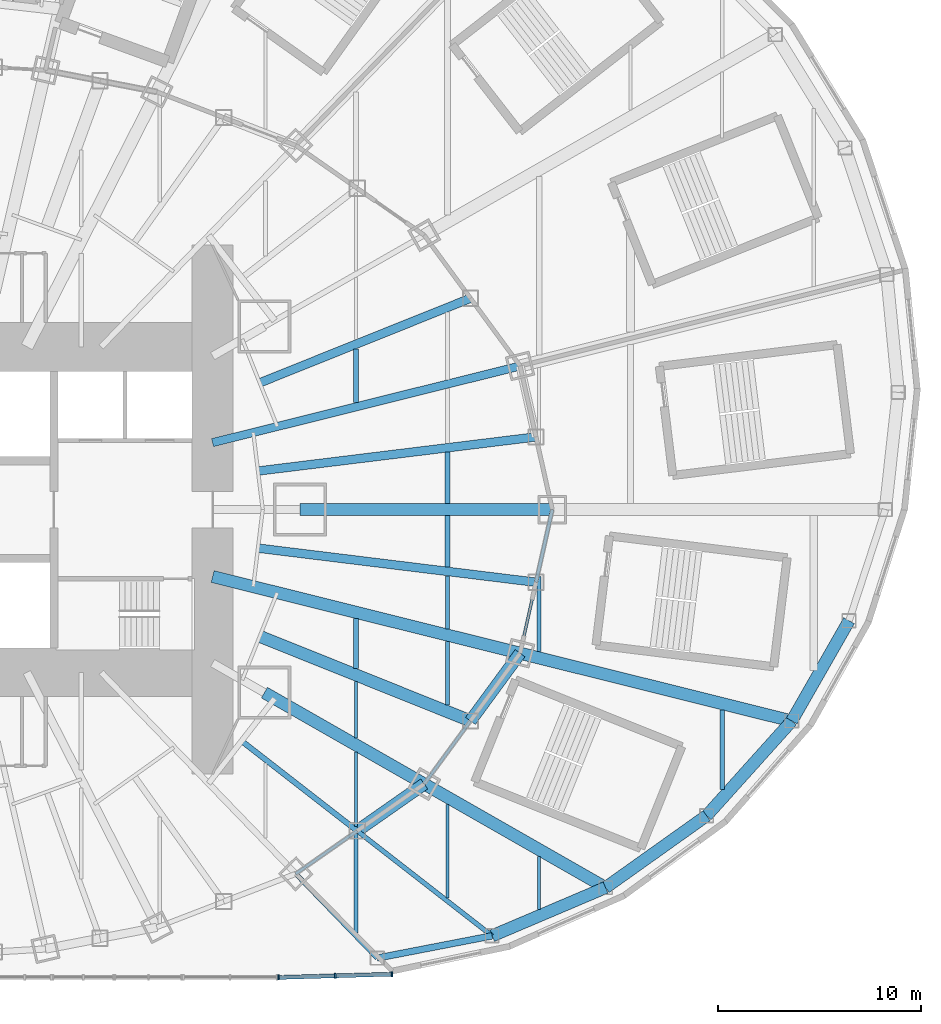
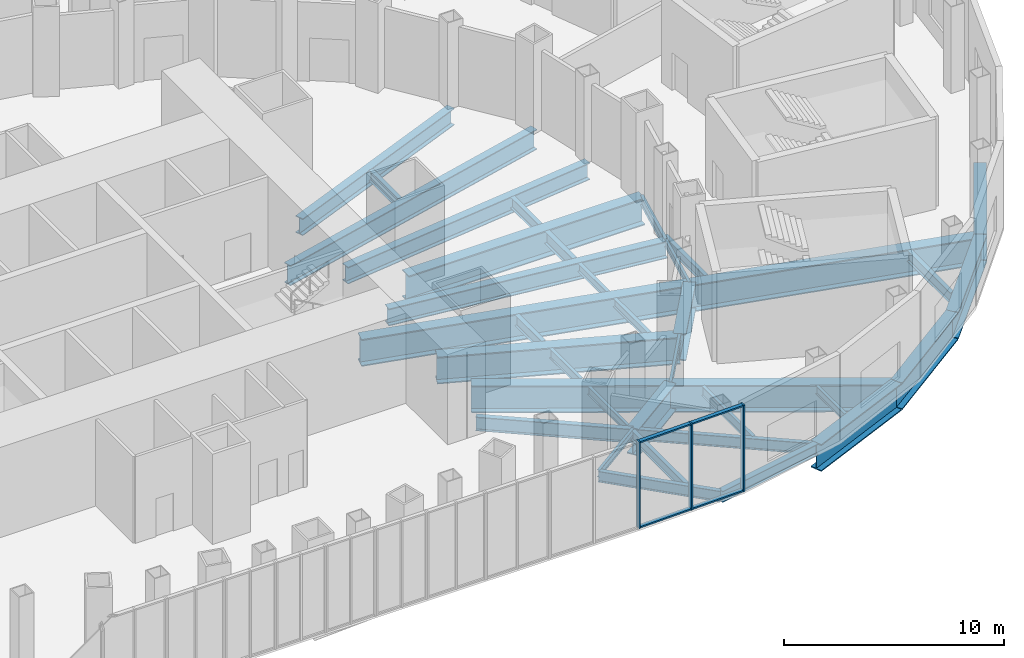
# One storey, part 9 of 73: 37 beams, 7 members, 1 element without a shape of its own.
"""IFC4 building model written with IfcOpenShell, lengths in metres."""

from ifc_helpers import new_model, si_unit, direction, frame, origin, origin_2d, place, context, subcontext, project, spatial, rectangle, i_section, extrude, material, material_profile, profile_set, type_object, element, aggregate, save


model = new_model("IFC4")

# Units and contexts
model_context = context("Model", 3, precision=1e-05, world=origin(), true_north=direction((0.0, 1.0)))
body_context = subcontext(model_context, "Body", "Model", "MODEL_VIEW")
ifc_project = project(units=[si_unit("LENGTHUNIT", "METRE"), si_unit("AREAUNIT", "SQUARE_METRE"), si_unit("VOLUMEUNIT", "CUBIC_METRE"), si_unit("PLANEANGLEUNIT", "RADIAN"), si_unit("MASSUNIT", "GRAM", prefix="KILO")], contexts=[model_context])

# Site, building, storey
site_placement = place(None, origin())
site = spatial("IfcSite", under=ifc_project, at=site_placement, CompositionType="ELEMENT")
building_placement = place(site_placement, origin())
building = spatial("IfcBuilding", under=site, at=building_placement, Name="Lantaw Convention Tower", CompositionType="ELEMENT")
storey_placement = place(building_placement, frame((0.0, 0.0, 27.0)))
storey = spatial("IfcBuildingStorey", under=building, at=storey_placement, Name="L04", CompositionType="ELEMENT", Elevation=27.0)

# Beams
ifc_material_1 = material(Name="Steel ASTM A572 Grade 50", Category="steel")
ifc_material_profile_1 = material_profile(ifc_material_1, i_section(OverallWidth=0.60009765625, OverallDepth=1.5, WebThickness=0.02490234375, FlangeThickness=0.06005859375, at=origin_2d()), Name="PG1500X600X25X60")
ifc_profile_set_1 = profile_set([ifc_material_profile_1], Name="Steel ASTM A572 Grade 50")
beam_type_1 = type_object("IfcBeamType", Name="Beam E PG1500X600X25X60", PredefinedType="SPANDREL", material=ifc_profile_set_1)
beam_1_placement = place(storey_placement, frame((20.308837890625, -15.794189453125, -0.949951171875), z_axis=(0.81942291701, 0.57318939547, 0.0), x_axis=(-0.57318939547, 0.81942291701, 0.0)))
element("IfcBeam", 1, at=beam_1_placement, inside=storey, type_object=beam_type_1, Name="Edge beam 22", PredefinedType="SPANDREL", context=body_context, shape_type="SweptSolid", body=[
    extrude(i_section(OverallWidth=0.60009765625, OverallDepth=1.5, WebThickness=0.02490234375, FlangeThickness=0.06005859375, at=origin_2d()), origin(), (0.0, 0.0, 1.0), 4.0224609375),
])
beam_2_placement = place(storey_placement, frame((25.8779296875, -10.388427734375, -0.949951171875), z_axis=(0.591255937291, 0.806483984105, 0.0), x_axis=(-0.806483984105, 0.591255937291, 0.0)))
element("IfcBeam", 2, at=beam_2_placement, inside=storey, type_object=beam_type_1, Name="Edge beam 23", PredefinedType="SPANDREL", context=body_context, shape_type="SweptSolid", body=[
    extrude(i_section(OverallWidth=0.60009765625, OverallDepth=1.5, WebThickness=0.02490234375, FlangeThickness=0.06005859375, at=origin_2d()), origin(), (0.0, 0.0, 1.0), 4.126708984375),
])
beam_3_placement = place(storey_placement, frame((26.94287109375, -20.95361328125, -0.949951171875), z_axis=(0.920324392734, 0.391155994636, 0.0), x_axis=(-0.391155994636, 0.920324392734, 0.0)))
element("IfcBeam", 3, at=beam_3_placement, inside=storey, type_object=beam_type_1, Name="Podium edge beam B21", PredefinedType="SPANDREL", context=body_context, shape_type="SweptSolid", body=[
    extrude(i_section(OverallWidth=0.60009765625, OverallDepth=1.5, WebThickness=0.02490234375, FlangeThickness=0.06005859375, at=origin_2d()), origin(), (0.0, 0.0, 1.0), 6.060546875),
])
beam_4_placement = place(storey_placement, frame((32.5205078125, -18.5830078125, -0.949951171875), z_axis=(0.814722795246, 0.579850641895, 0.0), x_axis=(-0.579850641895, 0.814722795246, 0.0)))
element("IfcBeam", 4, at=beam_4_placement, inside=storey, type_object=beam_type_1, Name="Podium edge beam R22", PredefinedType="SPANDREL", context=body_context, shape_type="SweptSolid", body=[
    extrude(i_section(OverallWidth=0.60009765625, OverallDepth=1.5, WebThickness=0.02490234375, FlangeThickness=0.06005859375, at=origin_2d()), origin(), (0.0, 0.0, 1.0), 6.095458984375),
])
beam_5_placement = place(storey_placement, frame((37.486572265625, -15.048583984375, -0.949951171875), z_axis=(0.668363614772, 0.74383471178, 0.0), x_axis=(-0.74383471178, 0.668363614772, 0.0)))
element("IfcBeam", 5, at=beam_5_placement, inside=storey, type_object=beam_type_1, Name="Podium edge beam B22", PredefinedType="SPANDREL", context=body_context, shape_type="SweptSolid", body=[
    extrude(i_section(OverallWidth=0.60009765625, OverallDepth=1.5, WebThickness=0.02490234375, FlangeThickness=0.06005859375, at=origin_2d()), origin(), (0.0, 0.0, 1.0), 6.2626953125),
])
beam_6_placement = place(storey_placement, frame((41.67236328125, -10.39013671875, -0.949951171875), z_axis=(0.496180629465, 0.868219317306, 0.0), x_axis=(-0.868219317306, 0.496180629465, 0.0)))
element("IfcBeam", 6, at=beam_6_placement, inside=storey, type_object=beam_type_1, Name="Podium edge beam R23", PredefinedType="SPANDREL", context=body_context, shape_type="SweptSolid", body=[
    extrude(i_section(OverallWidth=0.60009765625, OverallDepth=1.5, WebThickness=0.02490234375, FlangeThickness=0.06005859375, at=origin_2d()), origin(), (0.0, 0.0, 1.0), 5.67578125),
])
ifc_material_2 = material(Name="Steel ASTM A992", Category="steel")
ifc_material_profile_2 = material_profile(ifc_material_2, i_section(OverallWidth=0.140380859375, OverallDepth=0.40380859375, WebThickness=0.007080078125, FlangeThickness=0.01123046875, FilletRadius=0.01025390625, at=origin_2d()), Name="W16X31")
ifc_profile_set_2 = profile_set([ifc_material_profile_2], Name="Steel ASTM A992")
beam_type_2 = type_object("IfcBeamType", Name="Beam E W16X31", PredefinedType="SPANDREL", material=ifc_profile_set_2)
beam_7_placement = place(storey_placement, frame((17.290771484375, -17.9052734375, -0.40185546875), z_axis=(0.819431174801, 0.573177590075, 0.0), x_axis=(-0.573177590075, 0.819431174801, 0.0)))
element("IfcBeam", 7, at=beam_7_placement, inside=storey, type_object=beam_type_2, Name="Edge beam 22", PredefinedType="SPANDREL", context=body_context, shape_type="SweptSolid", body=[
    extrude(i_section(OverallWidth=0.140380859375, OverallDepth=0.40380859375, WebThickness=0.007080078125, FlangeThickness=0.01123046875, FilletRadius=0.01025390625, at=origin_2d()), origin(), (0.0, 0.0, 1.0), 3.68310546875),
])
beam_8_placement = place(storey_placement, frame((23.60498046875, -13.488525390625, -0.40185546875), z_axis=(0.591286566758, 0.806461527893, 0.0), x_axis=(-0.806461527893, 0.591286566758, 0.0)))
element("IfcBeam", 8, at=beam_8_placement, inside=storey, type_object=beam_type_2, Name="Edge beam 23", PredefinedType="SPANDREL", context=body_context, shape_type="SweptSolid", body=[
    extrude(i_section(OverallWidth=0.140380859375, OverallDepth=0.40380859375, WebThickness=0.007080078125, FlangeThickness=0.01123046875, FilletRadius=0.01025390625, at=origin_2d()), origin(), (0.0, 0.0, 1.0), 3.843994140625),
])
beam_9_placement = place(storey_placement, frame((28.31787109375, -7.060302734375, -0.40185546875), z_axis=(0.218673326171, 0.97579812278, 0.0), x_axis=(-0.97579812278, 0.218673326171, 0.0)))
element("IfcBeam", 9, at=beam_9_placement, inside=storey, type_object=beam_type_2, Name="Edge beam 24", PredefinedType="SPANDREL", context=body_context, shape_type="SweptSolid", body=[
    extrude(i_section(OverallWidth=0.140380859375, OverallDepth=0.40380859375, WebThickness=0.007080078125, FlangeThickness=0.01123046875, FilletRadius=0.01025390625, at=origin_2d()), origin(), (0.0, 0.0, 1.0), 3.57373046875),
])
ifc_material_profile_3 = material_profile(ifc_material_2, i_section(OverallWidth=0.165771484375, OverallDepth=0.5283203125, WebThickness=0.009765625, FlangeThickness=0.013671875, FilletRadius=0.012939453125, at=origin_2d()), Name="W21X50")
ifc_profile_set_3 = profile_set([ifc_material_profile_3], Name="Steel ASTM A992")
beam_type_3 = type_object("IfcBeamType", Name="Beam E W21X50", PredefinedType="SPANDREL", material=ifc_profile_set_3)
beam_10_placement = place(storey_placement, frame((29.099365234375, -3.572998046875, -0.464111328125), z_axis=(0.218631550323, 0.975807483679, 0.0), x_axis=(-0.975807483679, 0.218631550323, 0.0)))
element("IfcBeam", 10, at=beam_10_placement, inside=storey, type_object=beam_type_3, Name="Edge beam 24", PredefinedType="SPANDREL", context=body_context, shape_type="SweptSolid", body=[
    extrude(i_section(OverallWidth=0.165771484375, OverallDepth=0.5283203125, WebThickness=0.009765625, FlangeThickness=0.013671875, FilletRadius=0.012939453125, at=origin_2d()), origin(), (0.0, 0.0, 1.0), 3.66162109375),
])
ifc_material_profile_4 = material_profile(ifc_material_2, i_section(OverallWidth=0.3251953125, OverallDepth=0.612060546875, WebThickness=0.0126953125, FlangeThickness=0.01904296875, FilletRadius=0.0126953125, at=origin_2d()), Name="W24X104")
ifc_profile_set_4 = profile_set([ifc_material_profile_4], Name="Steel ASTM A992")
beam_type_4 = type_object("IfcBeamType", Name="Beam E W24X104", PredefinedType="SPANDREL", material=ifc_profile_set_4)
beam_11_placement = place(storey_placement, frame((21.290771484375, -22.04736328125, -0.506103515625), z_axis=(0.981786485539, 0.18998762279, 0.0), x_axis=(-0.18998762279, 0.981786485539, 0.0)))
element("IfcBeam", 11, at=beam_11_placement, inside=storey, type_object=beam_type_4, Name="Podium edge beam R21", PredefinedType="SPANDREL", context=body_context, shape_type="SweptSolid", body=[
    extrude(i_section(OverallWidth=0.3251953125, OverallDepth=0.612060546875, WebThickness=0.0126953125, FlangeThickness=0.01904296875, FilletRadius=0.0126953125, at=origin_2d()), origin(), (0.0, 0.0, 1.0), 5.7568359375),
])
ifc_material_profile_5 = material_profile(ifc_material_1, i_section(OverallWidth=0.60009765625, OverallDepth=1.5, WebThickness=0.02490234375, FlangeThickness=0.06005859375, at=origin_2d()), Name="PG1500X600X25X60")
ifc_profile_set_5 = profile_set([ifc_material_profile_5], Name="Steel ASTM A572 Grade 50")
beam_type_5 = type_object("IfcBeamType", Name="Beam G PG1500X600X25X60", PredefinedType="BEAM", material=ifc_profile_set_5)
beam_12_placement = place(storey_placement, frame((17.5, 0.0, -0.949951171875), z_axis=(1.0, 0.0, 0.0), x_axis=(0.0, 1.0, 0.0)))
element("IfcBeam", 12, at=beam_12_placement, inside=storey, type_object=beam_type_5, Name="Floor girder on ray 1", PredefinedType="BEAM", context=body_context, shape_type="SweptSolid", body=[
    extrude(i_section(OverallWidth=0.60009765625, OverallDepth=1.5, WebThickness=0.02490234375, FlangeThickness=0.06005859375, at=origin_2d()), origin(), (0.0, 0.0, 1.0), 12.39990234375),
])
beam_13_placement = place(storey_placement, frame((15.75, -9.0, -0.949951171875), z_axis=(0.868244802791, -0.496136032179, 0.0), x_axis=(0.496136032179, 0.868244802791, 0.0)))
element("IfcBeam", 13, at=beam_13_placement, inside=storey, type_object=beam_type_5, Name="Floor girder on ray 23", PredefinedType="BEAM", context=body_context, shape_type="SweptSolid", body=[
    extrude(i_section(OverallWidth=0.60009765625, OverallDepth=1.5, WebThickness=0.02490234375, FlangeThickness=0.06005859375, at=origin_2d()), origin(), (0.0, 0.0, 1.0), 9.046875),
])
beam_14_placement = place(storey_placement, frame((15.52001953125, -6.230224609375, -0.949951171875), z_axis=(0.928011337871, -0.37255195179, 0.0), x_axis=(0.37255195179, 0.928011337871, 0.0)))
element("IfcBeam", 14, at=beam_14_placement, inside=storey, type_object=beam_type_5, Name="Floor girder on bisector 23", PredefinedType="BEAM", context=body_context, shape_type="SweptSolid", body=[
    extrude(i_section(OverallWidth=0.60009765625, OverallDepth=1.5, WebThickness=0.02490234375, FlangeThickness=0.06005859375, at=origin_2d()), origin(), (0.0, 0.0, 1.0), 11.161376953125),
])
beam_15_placement = place(storey_placement, frame((13.199951171875, -3.291015625, -0.949951171875), z_axis=(0.970296233567, -0.241919860957, 0.0), x_axis=(0.241919860957, 0.970296233567, 0.0)))
element("IfcBeam", 15, at=beam_15_placement, inside=storey, type_object=beam_type_5, Name="Floor girder on ray 24", PredefinedType="BEAM", context=body_context, shape_type="SweptSolid", body=[
    extrude(i_section(OverallWidth=0.60009765625, OverallDepth=1.5, WebThickness=0.02490234375, FlangeThickness=0.06005859375, at=origin_2d()), origin(), (0.0, 0.0, 1.0), 15.580810546875),
])
ifc_material_profile_6 = material_profile(ifc_material_2, i_section(OverallWidth=0.2666015625, OverallDepth=0.76953125, WebThickness=0.015625, FlangeThickness=0.025390625, FilletRadius=0.0126953125, at=origin_2d()), Name="W30X132")
ifc_profile_set_6 = profile_set([ifc_material_profile_6], Name="Steel ASTM A992")
beam_type_6 = type_object("IfcBeamType", Name="Beam G W30X132", PredefinedType="BEAM", material=ifc_profile_set_6)
beam_16_placement = place(storey_placement, frame((14.628173828125, -11.37646484375, -0.584716796875), z_axis=(0.789390578332, -0.613891289106, 0.0), x_axis=(0.613891289106, 0.789390578332, 0.0)))
element("IfcBeam", 16, at=beam_16_placement, inside=storey, type_object=beam_type_6, Name="Floor girder on bisector 22", PredefinedType="BEAM", context=body_context, shape_type="SweptSolid", body=[
    extrude(i_section(OverallWidth=0.2666015625, OverallDepth=0.76953125, WebThickness=0.015625, FlangeThickness=0.025390625, FilletRadius=0.0126953125, at=origin_2d()), origin(), (0.0, 0.0, 1.0), 7.1962890625),
])
ifc_material_profile_7 = material_profile(ifc_material_2, i_section(OverallWidth=0.421630859375, OverallDepth=0.937255859375, WebThickness=0.0224609375, FlangeThickness=0.039794921875, FilletRadius=0.02001953125, at=origin_2d()), Name="W36X282")
ifc_profile_set_7 = profile_set([ifc_material_profile_7], Name="Steel ASTM A992")
beam_type_7 = type_object("IfcBeamType", Name="Beam G W36X282", PredefinedType="BEAM", material=ifc_profile_set_7)
beam_17_placement = place(storey_placement, frame((15.433349609375, 1.89501953125, -0.668701171875), z_axis=(0.99254612715, 0.121869542874, 0.0), x_axis=(-0.121869542874, 0.99254612715, 0.0)))
element("IfcBeam", 17, at=beam_17_placement, inside=storey, type_object=beam_type_7, Name="Floor girder on bisector 1", PredefinedType="BEAM", context=body_context, shape_type="SweptSolid", body=[
    extrude(i_section(OverallWidth=0.421630859375, OverallDepth=0.937255859375, WebThickness=0.0224609375, FlangeThickness=0.039794921875, FilletRadius=0.02001953125, at=origin_2d()), origin(), (0.0, 0.0, 1.0), 13.7685546875),
])
beam_18_placement = place(storey_placement, frame((15.52001953125, 6.23046875, -0.668701171875), z_axis=(0.928018900171, 0.372533113864, 0.0), x_axis=(-0.372533113864, 0.928018900171, 0.0)))
element("IfcBeam", 18, at=beam_18_placement, inside=storey, type_object=beam_type_7, Name="Floor girder on bisector 2", PredefinedType="BEAM", context=body_context, shape_type="SweptSolid", body=[
    extrude(i_section(OverallWidth=0.421630859375, OverallDepth=0.937255859375, WebThickness=0.0224609375, FlangeThickness=0.039794921875, FilletRadius=0.02001953125, at=origin_2d()), origin(), (0.0, 0.0, 1.0), 11.161376953125),
])
ifc_material_profile_8 = material_profile(ifc_material_2, i_section(OverallWidth=0.424072265625, OverallDepth=0.947509765625, WebThickness=0.02392578125, FlangeThickness=0.042724609375, FilletRadius=0.012451171875, at=origin_2d()), Name="W36X302")
ifc_profile_set_8 = profile_set([ifc_material_profile_8], Name="Steel ASTM A992")
beam_type_8 = type_object("IfcBeamType", Name="Beam G W36X302", PredefinedType="BEAM", material=ifc_profile_set_8)
beam_19_placement = place(storey_placement, frame((15.433349609375, -1.89501953125, -0.673828125), z_axis=(0.99254612715, -0.121869542874, 0.0), x_axis=(0.121869542874, 0.99254612715, 0.0)))
element("IfcBeam", 19, at=beam_19_placement, inside=storey, type_object=beam_type_8, Name="Floor girder on bisector 24", PredefinedType="BEAM", context=body_context, shape_type="SweptSolid", body=[
    extrude(i_section(OverallWidth=0.424072265625, OverallDepth=0.947509765625, WebThickness=0.02392578125, FlangeThickness=0.042724609375, FilletRadius=0.012451171875, at=origin_2d()), origin(), (0.0, 0.0, 1.0), 13.7685546875),
])
ifc_material_profile_9 = material_profile(ifc_material_2, i_section(OverallWidth=0.40380859375, OverallDepth=1.11767578125, WebThickness=0.026123046875, FlangeThickness=0.044921875, FilletRadius=0.02001953125, at=origin_2d()), Name="W44X335")
ifc_profile_set_9 = profile_set([ifc_material_profile_9], Name="Steel ASTM A992")
beam_type_9 = type_object("IfcBeamType", Name="Beam G W44X335", PredefinedType="BEAM", material=ifc_profile_set_9)
beam_20_placement = place(storey_placement, frame((13.199951171875, 3.291015625, -0.7587890625), z_axis=(0.970296233567, 0.241919860957, 0.0), x_axis=(-0.241919860957, 0.970296233567, 0.0)))
element("IfcBeam", 20, at=beam_20_placement, inside=storey, type_object=beam_type_9, Name="Floor girder on ray 2", PredefinedType="BEAM", context=body_context, shape_type="SweptSolid", body=[
    extrude(i_section(OverallWidth=0.40380859375, OverallDepth=1.11767578125, WebThickness=0.026123046875, FlangeThickness=0.044921875, FilletRadius=0.02001953125, at=origin_2d()), origin(), (0.0, 0.0, 1.0), 15.580810546875),
])
ifc_material_profile_10 = material_profile(ifc_material_2, i_section(OverallWidth=0.15234375, OverallDepth=0.449462890625, WebThickness=0.007568359375, FlangeThickness=0.0107421875, FilletRadius=0.01025390625, at=origin_2d()), Name="W18X35")
ifc_profile_set_10 = profile_set([ifc_material_profile_10], Name="Steel ASTM A992")
beam_type_10 = type_object("IfcBeamType", Name="Beam J W18X35", PredefinedType="JOIST", material=ifc_profile_set_10)
beam_21_placement = place(storey_placement, frame((20.25, -15.57958984375, -0.4248046875), z_axis=(0.0, 1.0, 0.0), x_axis=(-1.0, 0.0, 0.0)))
element("IfcBeam", 21, at=beam_21_placement, inside=storey, type_object=beam_type_10, Name="Floor joist", PredefinedType="JOIST", context=body_context, shape_type="SweptSolid", body=[
    extrude(i_section(OverallWidth=0.15234375, OverallDepth=0.449462890625, WebThickness=0.007568359375, FlangeThickness=0.0107421875, FilletRadius=0.01025390625, at=origin_2d()), origin(), (0.0, 0.0, 1.0), 3.66259765625),
])
beam_22_placement = place(storey_placement, frame((29.25, -19.647216796875, -0.4248046875), z_axis=(0.0, 1.0, 0.0), x_axis=(-1.0, 0.0, 0.0)))
element("IfcBeam", 22, at=beam_22_placement, inside=storey, type_object=beam_type_10, Name="Floor joist", PredefinedType="JOIST", context=body_context, shape_type="SweptSolid", body=[
    extrude(i_section(OverallWidth=0.15234375, OverallDepth=0.449462890625, WebThickness=0.007568359375, FlangeThickness=0.0107421875, FilletRadius=0.01025390625, at=origin_2d()), origin(), (0.0, 0.0, 1.0), 2.58740234375),
])
ifc_material_profile_11 = material_profile(ifc_material_2, i_section(OverallWidth=0.1904296875, OverallDepth=0.457275390625, WebThickness=0.009033203125, FlangeThickness=0.014404296875, FilletRadius=0.01025390625, at=origin_2d()), Name="W18X50")
ifc_profile_set_11 = profile_set([ifc_material_profile_11], Name="Steel ASTM A992")
beam_type_11 = type_object("IfcBeamType", Name="Beam J W18X50", PredefinedType="JOIST", material=ifc_profile_set_11)
beam_23_placement = place(storey_placement, frame((24.75, -9.6123046875, -0.4287109375), z_axis=(0.0, 1.0, 0.0), x_axis=(-1.0, 0.0, 0.0)))
element("IfcBeam", 23, at=beam_23_placement, inside=storey, type_object=beam_type_11, Name="Floor joist", PredefinedType="JOIST", context=body_context, shape_type="SweptSolid", body=[
    extrude(i_section(OverallWidth=0.1904296875, OverallDepth=0.457275390625, WebThickness=0.009033203125, FlangeThickness=0.014404296875, FilletRadius=0.01025390625, at=origin_2d()), origin(), (0.0, 0.0, 1.0), 3.13232421875),
])
beam_24_placement = place(storey_placement, frame((24.75, -5.861572265625, -0.4287109375), z_axis=(0.0, 1.0, 0.0), x_axis=(-1.0, 0.0, 0.0)))
element("IfcBeam", 24, at=beam_24_placement, inside=storey, type_object=beam_type_11, Name="Floor joist", PredefinedType="JOIST", context=body_context, shape_type="SweptSolid", body=[
    extrude(i_section(OverallWidth=0.1904296875, OverallDepth=0.457275390625, WebThickness=0.009033203125, FlangeThickness=0.014404296875, FilletRadius=0.01025390625, at=origin_2d()), origin(), (0.0, 0.0, 1.0), 2.60888671875),
])
ifc_material_profile_12 = material_profile(ifc_material_2, i_section(OverallWidth=0.1650390625, OverallDepth=0.52587890625, WebThickness=0.0087890625, FlangeThickness=0.011474609375, FilletRadius=0.0126953125, at=origin_2d()), Name="W21X44")
ifc_profile_set_12 = profile_set([ifc_material_profile_12], Name="Steel ASTM A992")
beam_type_12 = type_object("IfcBeamType", Name="Beam J W21X44", PredefinedType="JOIST", material=ifc_profile_set_12)
beam_25_placement = place(storey_placement, frame((20.25, -11.225830078125, -0.462890625), z_axis=(0.0, 1.0, 0.0), x_axis=(-1.0, 0.0, 0.0)))
element("IfcBeam", 25, at=beam_25_placement, inside=storey, type_object=beam_type_12, Name="Floor joist", PredefinedType="JOIST", context=body_context, shape_type="SweptSolid", body=[
    extrude(i_section(OverallWidth=0.1650390625, OverallDepth=0.52587890625, WebThickness=0.0087890625, FlangeThickness=0.011474609375, FilletRadius=0.0126953125, at=origin_2d()), origin(), (0.0, 0.0, 1.0), 2.7734375),
])
beam_26_placement = place(storey_placement, frame((24.75, -19.10302734375, -0.462890625), z_axis=(0.0, 1.0, 0.0), x_axis=(-1.0, 0.0, 0.0)))
element("IfcBeam", 26, at=beam_26_placement, inside=storey, type_object=beam_type_12, Name="Floor joist", PredefinedType="JOIST", context=body_context, shape_type="SweptSolid", body=[
    extrude(i_section(OverallWidth=0.1650390625, OverallDepth=0.52587890625, WebThickness=0.0087890625, FlangeThickness=0.011474609375, FilletRadius=0.0126953125, at=origin_2d()), origin(), (0.0, 0.0, 1.0), 4.61474609375),
])
ifc_material_profile_13 = material_profile(ifc_material_2, i_section(OverallWidth=0.209228515625, OverallDepth=0.533447265625, WebThickness=0.01025390625, FlangeThickness=0.015625, FilletRadius=0.012939453125, at=origin_2d()), Name="W21X62")
ifc_profile_set_13 = profile_set([ifc_material_profile_13], Name="Steel ASTM A992")
beam_type_13 = type_object("IfcBeamType", Name="Beam J W21X62", PredefinedType="JOIST", material=ifc_profile_set_13)
beam_27_placement = place(storey_placement, frame((29.25, -6.983642578125, -0.466796875), z_axis=(0.0, 1.0, 0.0), x_axis=(-1.0, 0.0, 0.0)))
element("IfcBeam", 27, at=beam_27_placement, inside=storey, type_object=beam_type_13, Name="Floor joist", PredefinedType="JOIST", context=body_context, shape_type="SweptSolid", body=[
    extrude(i_section(OverallWidth=0.209228515625, OverallDepth=0.533447265625, WebThickness=0.01025390625, FlangeThickness=0.015625, FilletRadius=0.012939453125, at=origin_2d()), origin(), (0.0, 0.0, 1.0), 3.703857421875),
])
ifc_material_profile_14 = material_profile(ifc_material_2, i_section(OverallWidth=0.2099609375, OverallDepth=0.535888671875, WebThickness=0.010986328125, FlangeThickness=0.017333984375, FilletRadius=0.012939453125, at=origin_2d()), Name="W21X68")
ifc_profile_set_14 = profile_set([ifc_material_profile_14], Name="Steel ASTM A992")
beam_type_14 = type_object("IfcBeamType", Name="Beam J W21X68", PredefinedType="JOIST", material=ifc_profile_set_14)
beam_28_placement = place(storey_placement, frame((20.25, -20.805419921875, -0.468017578125), z_axis=(0.0, 1.0, 0.0), x_axis=(-1.0, 0.0, 0.0)))
element("IfcBeam", 28, at=beam_28_placement, inside=storey, type_object=beam_type_14, Name="Floor joist", PredefinedType="JOIST", context=body_context, shape_type="SweptSolid", body=[
    extrude(i_section(OverallWidth=0.2099609375, OverallDepth=0.535888671875, WebThickness=0.010986328125, FlangeThickness=0.017333984375, FilletRadius=0.012939453125, at=origin_2d()), origin(), (0.0, 0.0, 1.0), 4.884521484375),
])
ifc_material_profile_15 = material_profile(ifc_material_2, i_section(OverallWidth=0.227783203125, OverallDepth=0.60205078125, WebThickness=0.010498046875, FlangeThickness=0.014892578125, FilletRadius=0.012939453125, at=origin_2d()), Name="W24X68")
ifc_profile_set_15 = profile_set([ifc_material_profile_15], Name="Steel ASTM A992")
beam_type_15 = type_object("IfcBeamType", Name="Beam J W24X68", PredefinedType="JOIST", material=ifc_profile_set_15)
beam_29_placement = place(storey_placement, frame((20.25, -7.805908203125, -0.5009765625), z_axis=(0.0, 1.0, 0.0), x_axis=(-1.0, 0.0, 0.0)))
element("IfcBeam", 29, at=beam_29_placement, inside=storey, type_object=beam_type_15, Name="Floor joist", PredefinedType="JOIST", context=body_context, shape_type="SweptSolid", body=[
    extrude(i_section(OverallWidth=0.227783203125, OverallDepth=0.60205078125, WebThickness=0.010498046875, FlangeThickness=0.014892578125, FilletRadius=0.012939453125, at=origin_2d()), origin(), (0.0, 0.0, 1.0), 2.44775390625),
])
beam_30_placement = place(storey_placement, frame((20.25, 5.257080078125, -0.5009765625), z_axis=(0.0, 1.0, 0.0), x_axis=(-1.0, 0.0, 0.0)))
element("IfcBeam", 30, at=beam_30_placement, inside=storey, type_object=beam_type_15, Name="Floor joist", PredefinedType="JOIST", context=body_context, shape_type="SweptSolid", body=[
    extrude(i_section(OverallWidth=0.227783203125, OverallDepth=0.60205078125, WebThickness=0.010498046875, FlangeThickness=0.014892578125, FilletRadius=0.012939453125, at=origin_2d()), origin(), (0.0, 0.0, 1.0), 2.64501953125),
])
ifc_material_profile_16 = material_profile(ifc_material_2, i_section(OverallWidth=0.22900390625, OverallDepth=0.612060546875, WebThickness=0.011962890625, FlangeThickness=0.01953125, FilletRadius=0.0126953125, at=origin_2d()), Name="W24X84")
ifc_profile_set_16 = profile_set([ifc_material_profile_16], Name="Steel ASTM A992")
beam_type_16 = type_object("IfcBeamType", Name="Beam J W24X84", PredefinedType="JOIST", material=ifc_profile_set_16)
beam_31_placement = place(storey_placement, frame((24.75, 0.300048828125, -0.506103515625), z_axis=(0.0, 1.0, 0.0), x_axis=(-1.0, 0.0, 0.0)))
element("IfcBeam", 31, at=beam_31_placement, inside=storey, type_object=beam_type_16, Name="Floor joist", PredefinedType="JOIST", context=body_context, shape_type="SweptSolid", body=[
    extrude(i_section(OverallWidth=0.22900390625, OverallDepth=0.612060546875, WebThickness=0.011962890625, FlangeThickness=0.01953125, FilletRadius=0.0126953125, at=origin_2d()), origin(), (0.0, 0.0, 1.0), 2.5263671875),
])
beam_32_placement = place(storey_placement, frame((38.25, -13.75, -0.506103515625), z_axis=(0.0, 1.0, 0.0), x_axis=(-1.0, 0.0, 0.0)))
element("IfcBeam", 32, at=beam_32_placement, inside=storey, type_object=beam_type_16, Name="Floor joist", PredefinedType="JOIST", context=body_context, shape_type="SweptSolid", body=[
    extrude(i_section(OverallWidth=0.22900390625, OverallDepth=0.612060546875, WebThickness=0.011962890625, FlangeThickness=0.01953125, FilletRadius=0.0126953125, at=origin_2d()), origin(), (0.0, 0.0, 1.0), 3.904052734375),
])
ifc_material_profile_17 = material_profile(ifc_material_2, i_section(OverallWidth=0.25390625, OverallDepth=0.683349609375, WebThickness=0.012451171875, FlangeThickness=0.01904296875, FilletRadius=0.01513671875, at=origin_2d()), Name="W27X94")
ifc_profile_set_17 = profile_set([ifc_material_profile_17], Name="Steel ASTM A992")
beam_type_17 = type_object("IfcBeamType", Name="Beam J W27X94", PredefinedType="JOIST", material=ifc_profile_set_17)
beam_33_placement = place(storey_placement, frame((24.75, -2.8251953125, -0.541748046875), z_axis=(0.0, 1.0, 0.0), x_axis=(-1.0, 0.0, 0.0)))
element("IfcBeam", 33, at=beam_33_placement, inside=storey, type_object=beam_type_17, Name="Floor joist", PredefinedType="JOIST", context=body_context, shape_type="SweptSolid", body=[
    extrude(i_section(OverallWidth=0.25390625, OverallDepth=0.683349609375, WebThickness=0.012451171875, FlangeThickness=0.01904296875, FilletRadius=0.01513671875, at=origin_2d()), origin(), (0.0, 0.0, 1.0), 2.525146484375),
])
ifc_material_profile_18 = material_profile(ifc_material_1, i_section(OverallWidth=0.60009765625, OverallDepth=1.5, WebThickness=0.02490234375, FlangeThickness=0.06005859375, at=origin_2d()), Name="PG1500X600X25X60")
ifc_profile_set_18 = profile_set([ifc_material_profile_18], Name="Steel ASTM A572 Grade 50")
beam_type_18 = type_object("IfcBeamType", Name="Beam PG PG1500X600X25X60", PredefinedType="BEAM", material=ifc_profile_set_18)
beam_34_placement = place(storey_placement, frame((23.60498046875, -13.488525390625, -0.949951171875), z_axis=(0.868247531483, -0.4961312569, 0.0), x_axis=(0.4961312569, 0.868247531483, 0.0)))
element("IfcBeam", 34, at=beam_34_placement, inside=storey, type_object=beam_type_18, Name="Podium girder PR23", PredefinedType="BEAM", context=body_context, shape_type="SweptSolid", body=[
    extrude(i_section(OverallWidth=0.60009765625, OverallDepth=1.5, WebThickness=0.02490234375, FlangeThickness=0.06005859375, at=origin_2d()), origin(), (0.0, 0.0, 1.0), 10.268310546875),
])
beam_35_placement = place(storey_placement, frame((28.31787109375, -7.060302734375, -0.949951171875), z_axis=(0.97029256898, -0.24193455847, 0.0), x_axis=(0.24193455847, 0.97029256898, 0.0)))
element("IfcBeam", 35, at=beam_35_placement, inside=storey, type_object=beam_type_18, Name="Podium girder PR24", PredefinedType="BEAM", context=body_context, shape_type="SweptSolid", body=[
    extrude(i_section(OverallWidth=0.60009765625, OverallDepth=1.5, WebThickness=0.02490234375, FlangeThickness=0.06005859375, at=origin_2d()), origin(), (0.0, 0.0, 1.0), 13.763427734375),
])
ifc_material_profile_19 = material_profile(ifc_material_2, i_section(OverallWidth=0.227783203125, OverallDepth=0.60205078125, WebThickness=0.010498046875, FlangeThickness=0.014892578125, FilletRadius=0.012939453125, at=origin_2d()), Name="W24X68")
ifc_profile_set_19 = profile_set([ifc_material_profile_19], Name="Steel ASTM A992")
beam_type_19 = type_object("IfcBeamType", Name="Beam PG W24X68", PredefinedType="BEAM", material=ifc_profile_set_19)
beam_36_placement = place(storey_placement, frame((17.290771484375, -17.9052734375, -0.5009765625), z_axis=(0.694661096328, -0.719337167987, 0.0), x_axis=(0.719337167987, 0.694661096328, 0.0)))
element("IfcBeam", 36, at=beam_36_placement, inside=storey, type_object=beam_type_19, Name="Podium girder PR22", PredefinedType="BEAM", context=body_context, shape_type="SweptSolid", body=[
    extrude(i_section(OverallWidth=0.227783203125, OverallDepth=0.60205078125, WebThickness=0.010498046875, FlangeThickness=0.014892578125, FilletRadius=0.012939453125, at=origin_2d()), origin(), (0.0, 0.0, 1.0), 5.75830078125),
])
ifc_material_profile_20 = material_profile(ifc_material_2, i_section(OverallWidth=0.22900390625, OverallDepth=0.612060546875, WebThickness=0.011962890625, FlangeThickness=0.01953125, FilletRadius=0.0126953125, at=origin_2d()), Name="W24X84")
ifc_profile_set_20 = profile_set([ifc_material_profile_20], Name="Steel ASTM A992")
beam_type_20 = type_object("IfcBeamType", Name="Beam PG W24X84", PredefinedType="BEAM", material=ifc_profile_set_20)
beam_37_placement = place(storey_placement, frame((20.308837890625, -15.794189453125, -0.506103515625), z_axis=(0.789374116062, -0.613912457025, 0.0), x_axis=(0.613912457025, 0.789374116062, 0.0)))
element("IfcBeam", 37, at=beam_37_placement, inside=storey, type_object=beam_type_20, Name="Podium girder PB22", PredefinedType="BEAM", context=body_context, shape_type="SweptSolid", body=[
    extrude(i_section(OverallWidth=0.22900390625, OverallDepth=0.612060546875, WebThickness=0.011962890625, FlangeThickness=0.01953125, FilletRadius=0.0126953125, at=origin_2d()), origin(), (0.0, 0.0, 1.0), 8.404052734375),
])

# Curtain wall, members
ifc_material_3 = material(Name="Aluminium framed curtain wall", Category="aluminium")
curtain_wall_type = type_object("IfcCurtainWallType", Name="Podium storefront curtain wall, pale aluminium", PredefinedType="USERDEFINED", material=ifc_material_3)
curtain_wall_placement = place(storey_placement, origin())
curtain_wall = element("IfcCurtainWall", 38, at=curtain_wall_placement, inside=storey, type_object=curtain_wall_type, Name="Podium storefront curtain wall, pale aluminium L04", ObjectType="STOREFRONT", PredefinedType="USERDEFINED")
ifc_material_4 = material(Name="Aluminium 6063-T6", Category="aluminium")
ifc_material_profile_21 = material_profile(ifc_material_4, rectangle(XDim=0.25, YDim=0.080078125, at=origin_2d()), Name="CW-P mullion 80x250")
ifc_profile_set_21 = profile_set([ifc_material_profile_21], Name="Aluminium 6063-T6")
member_type_1 = type_object("IfcMemberType", Name="CW-P mullion 80x250", PredefinedType="MULLION", material=ifc_profile_set_21)
member_1_placement = place(storey_placement, frame((16.44580078125, -22.998779296875, 0.0), z_axis=(0.0, 0.0, 1.0), x_axis=(-0.028552206976, 0.99959230263, 0.0)))
member_1 = element("IfcMember", 39, at=member_1_placement, type_object=member_type_1, Name="CW-P mullion 1", PredefinedType="MULLION", context=body_context, shape_type="SweptSolid", body=[
    extrude(rectangle(XDim=0.25, YDim=0.080078125, at=origin_2d()), origin(), (0.0, 0.0, 1.0), 4.800048828125),
])
member_2_placement = place(storey_placement, frame((19.23046875, -22.91943359375, 0.0), z_axis=(0.0, 0.0, 1.0), x_axis=(-0.028552206976, 0.99959230263, 0.0)))
member_2 = element("IfcMember", 40, at=member_2_placement, type_object=member_type_1, Name="CW-P mullion 2", PredefinedType="MULLION", context=body_context, shape_type="SweptSolid", body=[
    extrude(rectangle(XDim=0.25, YDim=0.080078125, at=origin_2d()), origin(), (0.0, 0.0, 1.0), 4.800048828125),
])
member_3_placement = place(storey_placement, frame((22.01513671875, -22.83984375, 0.0), z_axis=(0.0, 0.0, 1.0), x_axis=(-0.028552206976, 0.99959230263, 0.0)))
member_3 = element("IfcMember", 41, at=member_3_placement, type_object=member_type_1, Name="CW-P mullion 3", PredefinedType="MULLION", context=body_context, shape_type="SweptSolid", body=[
    extrude(rectangle(XDim=0.25, YDim=0.080078125, at=origin_2d()), origin(), (0.0, 0.0, 1.0), 4.800048828125),
])
ifc_material_profile_22 = material_profile(ifc_material_4, rectangle(XDim=0.199951171875, YDim=0.080078125, at=origin_2d()), Name="CW-P transom 80x200")
ifc_profile_set_22 = profile_set([ifc_material_profile_22], Name="Aluminium 6063-T6")
member_type_2 = type_object("IfcMemberType", Name="CW-P transom 80x200", PredefinedType="USERDEFINED", material=ifc_profile_set_22)
member_4_placement = place(storey_placement, frame((16.485595703125, -22.997802734375, 0.0400390625), z_axis=(0.999590908137, 0.028600985457, 0.0), x_axis=(-0.028600985457, 0.999590908137, 0.0)))
member_4 = element("IfcMember", 42, at=member_4_placement, type_object=member_type_2, Name="CW-P transom 1.1", ObjectType="TRANSOM", PredefinedType="USERDEFINED", context=body_context, shape_type="SweptSolid", body=[
    extrude(rectangle(XDim=0.199951171875, YDim=0.080078125, at=origin_2d()), origin(), (0.0, 0.0, 1.0), 2.7060546875),
])
member_5_placement = place(storey_placement, frame((16.485595703125, -22.997802734375, 4.760009765625), z_axis=(0.999590908137, 0.028600985457, 0.0), x_axis=(-0.028600985457, 0.999590908137, 0.0)))
member_5 = element("IfcMember", 43, at=member_5_placement, type_object=member_type_2, Name="CW-P transom 1.2", ObjectType="TRANSOM", PredefinedType="USERDEFINED", context=body_context, shape_type="SweptSolid", body=[
    extrude(rectangle(XDim=0.199951171875, YDim=0.080078125, at=origin_2d()), origin(), (0.0, 0.0, 1.0), 2.7060546875),
])
member_6_placement = place(storey_placement, frame((19.270263671875, -22.918212890625, 0.0400390625), z_axis=(0.999590908137, 0.028600985457, 0.0), x_axis=(-0.028600985457, 0.999590908137, 0.0)))
member_6 = element("IfcMember", 44, at=member_6_placement, type_object=member_type_2, Name="CW-P transom 2.1", ObjectType="TRANSOM", PredefinedType="USERDEFINED", context=body_context, shape_type="SweptSolid", body=[
    extrude(rectangle(XDim=0.199951171875, YDim=0.080078125, at=origin_2d()), origin(), (0.0, 0.0, 1.0), 2.7060546875),
])
member_7_placement = place(storey_placement, frame((19.270263671875, -22.918212890625, 4.760009765625), z_axis=(0.999590908137, 0.028600985457, 0.0), x_axis=(-0.028600985457, 0.999590908137, 0.0)))
member_7 = element("IfcMember", 45, at=member_7_placement, type_object=member_type_2, Name="CW-P transom 2.2", ObjectType="TRANSOM", PredefinedType="USERDEFINED", context=body_context, shape_type="SweptSolid", body=[
    extrude(rectangle(XDim=0.199951171875, YDim=0.080078125, at=origin_2d()), origin(), (0.0, 0.0, 1.0), 2.7060546875),
])
aggregate(curtain_wall, [member_1, member_2, member_3, member_4, member_5, member_6, member_7])

save(model, "model.ifc")
